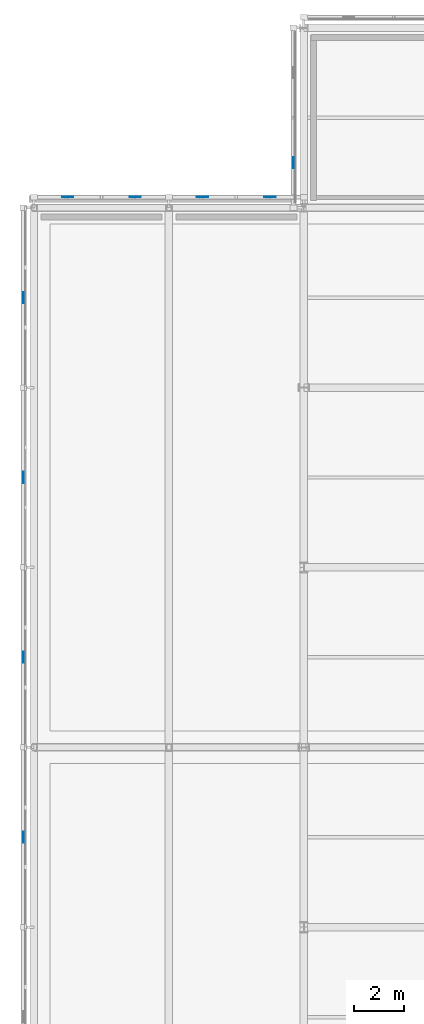
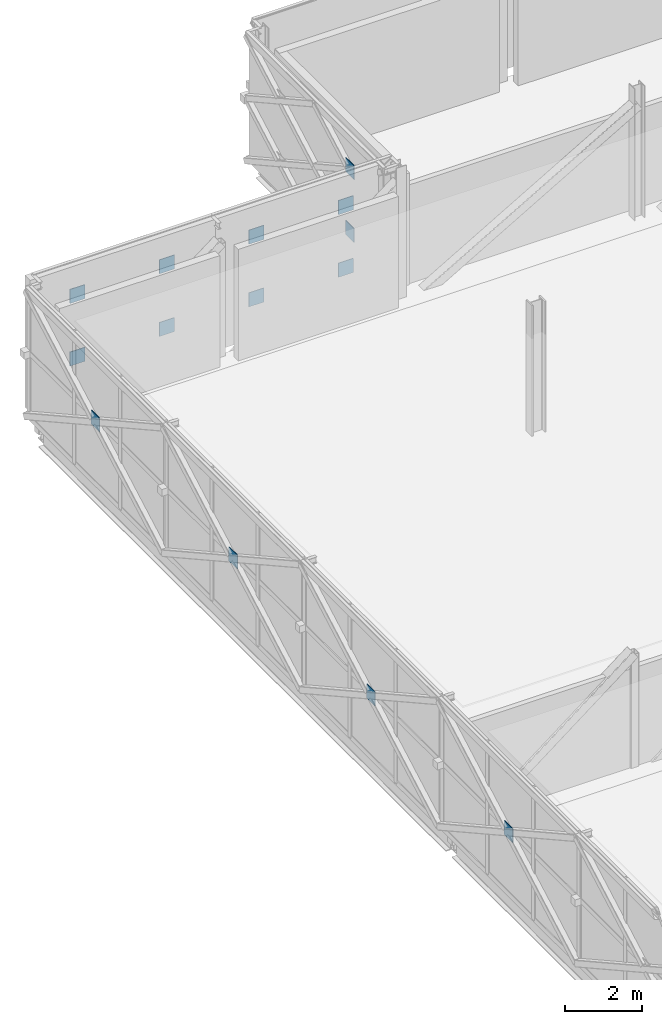
# One storey, part 90 of 126: 14 plates.
"""IFC4 building model written with IfcOpenShell, lengths in metres."""

from ifc_helpers import new_model, si_unit, direction, frame, origin, origin_2d, place, context, subcontext, project, spatial, rectangle, extrude, material, layer, layer_set, type_object, element, save


model = new_model("IFC4")

# Units and contexts
model_context = context("Model", 3, precision=1e-05, world=origin(), true_north=direction((0.0, 1.0)))
body_context = subcontext(model_context, "Body", "Model", "MODEL_VIEW")
ifc_project = project(units=[si_unit("LENGTHUNIT", "METRE"), si_unit("AREAUNIT", "SQUARE_METRE"), si_unit("VOLUMEUNIT", "CUBIC_METRE"), si_unit("PLANEANGLEUNIT", "RADIAN"), si_unit("MASSUNIT", "GRAM", prefix="KILO")], contexts=[model_context])

# Site, building, storey
site_placement = place(None, origin())
site = spatial("IfcSite", under=ifc_project, at=site_placement, CompositionType="ELEMENT")
building_placement = place(site_placement, origin())
building = spatial("IfcBuilding", under=site, at=building_placement, Name="Zlatovets Crest Museum", CompositionType="ELEMENT")
storey_placement = place(building_placement, frame((0.0, 0.0, 8.699951171875)))
storey = spatial("IfcBuildingStorey", under=building, at=storey_placement, Name="L02", CompositionType="ELEMENT", Elevation=8.699951171875)

# Plates
ifc_material = material(Name="Structural steel S355J2", Category="steel")
ifc_layer = layer(ifc_material, 0.02001953125)
ifc_layer_set = layer_set([ifc_layer], Name="Structural steel S355J2")
plate_type = type_object("IfcPlateType", Name="Gusset_GP-04", PredefinedType="USERDEFINED", material=ifc_layer_set)
for number, where, z_axis, x_axis, name in (
    (1, (6.780029296875, 95.39990234375, 0.875), (0.0, 0.0, 1.0), (1.0, 0.0, 0.0), "X-Brace Crossing Node Gusset Plate GP-04"),
    (2, (6.780029296875, 95.39990234375, 2.875), (0.0, 0.0, 1.0), (1.0, 0.0, 0.0), "X-Brace Crossing Node Gusset Plate GP-04"),
):
    element("IfcPlate", number, at=place(storey_placement, frame(where, z_axis=z_axis, x_axis=x_axis)), inside=storey, type_object=plate_type, Name=name, ObjectType="GUSSET", PredefinedType="USERDEFINED", context=body_context, shape_type="SweptSolid", body=[
        extrude(rectangle(XDim=0.02001953125, YDim=0.449951171875, at=origin_2d()), origin(), (0.0, 0.0, 1.0), 0.449951171875),
    ])
for number, where, z_axis, x_axis, name in (
    (3, (5.85009765625, 94.02001953125, 0.875), (0.0, 0.0, 1.0), (1.0, 0.0, 0.0), "X-Brace Crossing Node Gusset Plate GP-04"),
    (4, (3.14990234375, 94.02001953125, 0.875), (0.0, 0.0, 1.0), (1.0, 0.0, 0.0), "X-Brace Crossing Node Gusset Plate GP-04"),
    (5, (5.85009765625, 94.02001953125, 2.875), (0.0, 0.0, 1.0), (1.0, 0.0, 0.0), "X-Brace Crossing Node Gusset Plate GP-04"),
    (6, (3.14990234375, 94.02001953125, 2.875), (0.0, 0.0, 1.0), (1.0, 0.0, 0.0), "X-Brace Crossing Node Gusset Plate GP-04"),
    (7, (0.449951171875, 94.02001953125, 0.875), (0.0, 0.0, 1.0), (1.0, 0.0, 0.0), "X-Brace Crossing Node Gusset Plate GP-04"),
    (8, (-2.25, 94.02001953125, 0.875), (0.0, 0.0, 1.0), (1.0, 0.0, 0.0), "X-Brace Crossing Node Gusset Plate GP-04"),
    (9, (0.449951171875, 94.02001953125, 2.875), (0.0, 0.0, 1.0), (1.0, 0.0, 0.0), "X-Brace Crossing Node Gusset Plate GP-04"),
    (10, (-2.25, 94.02001953125, 2.875), (0.0, 0.0, 1.0), (1.0, 0.0, 0.0), "X-Brace Crossing Node Gusset Plate GP-04"),
):
    element("IfcPlate", number, at=place(storey_placement, frame(where, z_axis=z_axis, x_axis=x_axis)), inside=storey, type_object=plate_type, Name=name, ObjectType="GUSSET", PredefinedType="USERDEFINED", context=body_context, shape_type="SweptSolid", body=[
        extrude(rectangle(XDim=0.449951171875, YDim=0.02001953125, at=origin_2d()), origin(), (0.0, 0.0, 1.0), 0.449951171875),
    ])
for number, where, z_axis, x_axis, name in (
    (11, (-4.02001953125, 90.0, 1.875), (0.0, 0.0, 1.0), (1.0, 0.0, 0.0), "X-Brace Crossing Node Gusset Plate GP-04"),
    (12, (-4.02001953125, 82.800048828125, 1.875), (0.0, 0.0, 1.0), (1.0, 0.0, 0.0), "X-Brace Crossing Node Gusset Plate GP-04"),
    (13, (-4.02001953125, 75.60009765625, 1.875), (0.0, 0.0, 1.0), (1.0, 0.0, 0.0), "X-Brace Crossing Node Gusset Plate GP-04"),
    (14, (-4.02001953125, 68.39990234375, 1.875), (0.0, 0.0, 1.0), (1.0, 0.0, 0.0), "X-Brace Crossing Node Gusset Plate GP-04"),
):
    element("IfcPlate", number, at=place(storey_placement, frame(where, z_axis=z_axis, x_axis=x_axis)), inside=storey, type_object=plate_type, Name=name, ObjectType="GUSSET", PredefinedType="USERDEFINED", context=body_context, shape_type="SweptSolid", body=[
        extrude(rectangle(XDim=0.02001953125, YDim=0.449951171875, at=origin_2d()), origin(), (0.0, 0.0, 1.0), 0.449951171875),
    ])

save(model, "model.ifc")
